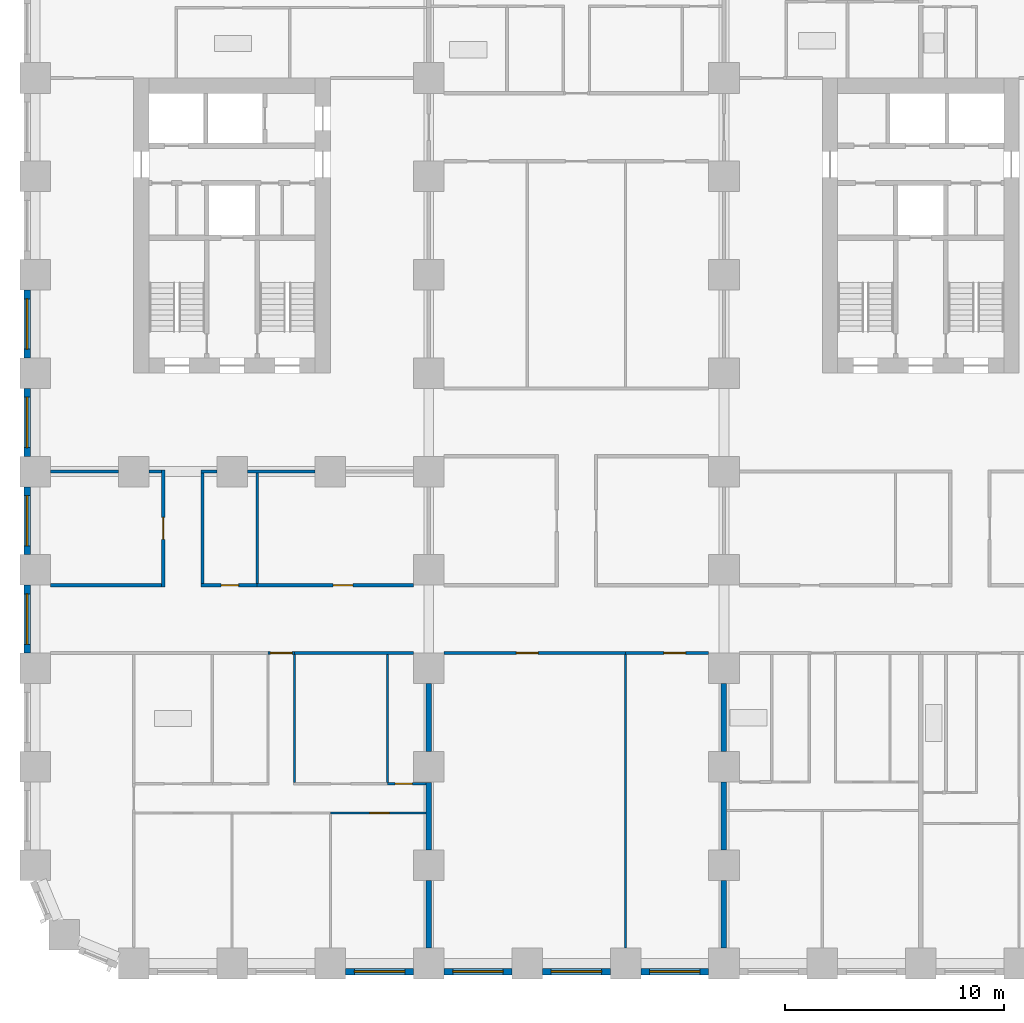
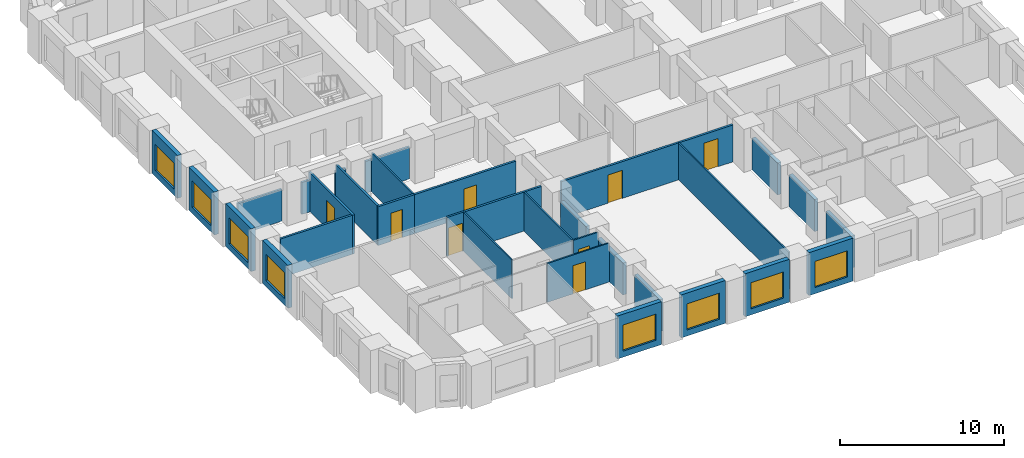
# One storey, part 3 of 13: 33 walls, 8 doors, 8 windows, 16 openings.
"""IFC4 building model written with IfcOpenShell, lengths in metres."""

from ifc_helpers import new_model, si_unit, direction, frame, frame_2d, origin, place, context, subcontext, project, spatial, rectangle, extrude, material, layer, layer_set, type_object, element, fill, save


model = new_model("IFC4")

# Units and contexts
model_context = context("Model", 3, precision=1e-05, world=origin(), true_north=direction((0.0, 1.0)))
body_context = subcontext(model_context, "Body", "Model", "MODEL_VIEW")
ifc_project = project(units=[si_unit("LENGTHUNIT", "METRE"), si_unit("AREAUNIT", "SQUARE_METRE"), si_unit("VOLUMEUNIT", "CUBIC_METRE"), si_unit("PLANEANGLEUNIT", "RADIAN"), si_unit("MASSUNIT", "GRAM", prefix="KILO")], contexts=[model_context])

# Site, building, storey
site_placement = place(None, origin())
site = spatial("IfcSite", under=ifc_project, at=site_placement, CompositionType="ELEMENT")
building_placement = place(site_placement, origin())
building = spatial("IfcBuilding", under=site, at=building_placement, Name="Girih Gate Residences", CompositionType="ELEMENT")
storey_placement = place(building_placement, frame((0.0, 0.0, 56.0)))
storey = spatial("IfcBuildingStorey", under=building, at=storey_placement, Name="L14", CompositionType="ELEMENT", Elevation=56.0)

# Walls
ifc_material_1 = material(Name="Gypsum board on steel studs", Category="steel")
ifc_layer_1 = layer(ifc_material_1, 0.25)
ifc_layer_set_1 = layer_set([ifc_layer_1], Name="Acoustic separating wall 250 mm")
wall_type_1 = type_object("IfcWallType", Name="Acoustic separating wall 250 mm", PredefinedType="PARTITIONING", material=ifc_layer_set_1)
wall_1_placement = place(storey_placement, frame((18.0, 5.199951171875, 0.0), z_axis=(0.0, 0.0, 1.0), x_axis=(0.0, 1.0, 0.0)))
element("IfcWall", 1, at=wall_1_placement, inside=storey, type_object=wall_type_1, Name="L14 partition", PredefinedType="PARTITIONING", context=body_context, shape_type="SweptSolid", body=[
    extrude(rectangle(XDim=3.070068359375, YDim=0.25, at=frame_2d((1.53515625, 0.0))), origin(), (0.0, 0.0, 1.0), 2.3798828125),
])
for number, where, z_axis, x_axis, name in (
    (2, (18.0, 0.699951171875, 0.0), (0.0, 0.0, 1.0), (0.0, 1.0, 0.0), "L14 partition"),
    (3, (18.0, 9.699951171875, 0.0), (0.0, 0.0, 1.0), (0.0, 1.0, 0.0), "L14 partition"),
    (4, (31.5, 9.699951171875, 0.0), (0.0, 0.0, 1.0), (0.0, 1.0, 0.0), "L14 partition"),
    (5, (31.5, 0.699951171875, 0.0), (0.0, 0.0, 1.0), (0.0, 1.0, 0.0), "L14 partition"),
    (6, (31.5, 5.199951171875, 0.0), (0.0, 0.0, 1.0), (0.0, 1.0, 0.0), "L14 partition"),
):
    element("IfcWall", number, at=place(storey_placement, frame(where, z_axis=z_axis, x_axis=x_axis)), inside=storey, type_object=wall_type_1, Name=name, PredefinedType="PARTITIONING", context=body_context, shape_type="SweptSolid", body=[
        extrude(rectangle(XDim=3.10009765625, YDim=0.25, at=frame_2d((1.550048828125, 0.0))), origin(), (0.0, 0.0, 1.0), 2.3798828125),
    ])

# Wall, opening, door
ifc_layer_2 = layer(ifc_material_1, 0.14990234375)
ifc_layer_set_2 = layer_set([ifc_layer_2], Name="Compartment wall 150 mm")
wall_type_2 = type_object("IfcWallType", Name="Compartment wall 150 mm", PredefinedType="PARTITIONING", material=ifc_layer_set_2)
wall_2_placement = place(storey_placement, frame((11.85009765625, 14.199951171875, 0.0), z_axis=(0.0, 0.0, 1.0), x_axis=(-1.0, 0.0, 0.0)))
wall_2 = element("IfcWall", 7, at=wall_2_placement, inside=storey, type_object=wall_type_2, Name="L14 partition", PredefinedType="PARTITIONING", context=body_context, shape_type="SweptSolid", body=[
    extrude(rectangle(XDim=1.2001953125, YDim=0.14990234375, at=frame_2d((0.60009765625, 0.0))), origin(), (0.0, 0.0, 1.0), 2.89990234375),
])
opening_1_placement = place(wall_2_placement, frame((0.10009765625, 0.0, 0.0)))
opening_1 = element("IfcOpeningElement", 8, at=opening_1_placement, cuts=wall_2, Name="Opening A14-009", PredefinedType="OPENING", context=body_context, shape_type="SweptSolid", body=[
    extrude(rectangle(XDim=1.0, YDim=2.10009765625, at=frame_2d((0.5, 1.050048828125))), frame((0.0, 0.0849609375, 0.0), z_axis=(0.0, -1.0, 0.0), x_axis=(1.0, 0.0, 0.0)), (0.0, 0.0, 1.0), 0.169921875),
])
ifc_material_2 = material(Name="Timber, fire-rated core", Category="wood")
door_type_1 = type_object("IfcDoorType", Name="Flat entrance door 1000x2100 FD30S", OperationType="NOTDEFINED", PredefinedType="DOOR", material=ifc_material_2)
door_1_placement = place(opening_1_placement, origin())
door_1 = element("IfcDoor", 9, at=door_1_placement, inside=storey, type_object=door_type_1, Name="Door A14-009", OperationType="SINGLE_SWING_RIGHT", OverallHeight=2.10009765625, OverallWidth=1.0, PredefinedType="DOOR", context=body_context, shape_type="SweptSolid", body=[
    extrude(rectangle(XDim=1.0, YDim=2.10009765625, at=frame_2d((0.5, 1.050048828125))), frame((0.0, 0.02490234375, 0.0), z_axis=(0.0, -1.0, 0.0), x_axis=(1.0, 0.0, 0.0)), (0.0, 0.0, 1.0), 0.050048828125),
])
fill(opening_1, door_1)

# Wall
wall_3_placement = place(storey_placement, frame((11.85009765625, 14.199951171875, 0.0), z_axis=(0.0, 0.0, 1.0), x_axis=(1.0, 0.0, 0.0)))
element("IfcWall", 10, at=wall_3_placement, inside=storey, type_object=wall_type_2, Name="L14 partition", PredefinedType="PARTITIONING", context=body_context, shape_type="SweptSolid", body=[
    extrude(rectangle(XDim=5.449951171875, YDim=0.14990234375, at=frame_2d((2.72509765625, 0.0))), origin(), (0.0, 0.0, 1.0), 2.89990234375),
])

# Wall, opening, door
wall_4_placement = place(storey_placement, frame((27.0, 14.199951171875, 0.0), z_axis=(0.0, 0.0, 1.0), x_axis=(-1.0, 0.0, 0.0)))
wall_4 = element("IfcWall", 11, at=wall_4_placement, inside=storey, type_object=wall_type_2, Name="L14 partition", PredefinedType="PARTITIONING", context=body_context, shape_type="SweptSolid", body=[
    extrude(rectangle(XDim=8.300048828125, YDim=0.14990234375, at=frame_2d((4.14990234375, 0.0))), origin(), (0.0, 0.0, 1.0), 2.75),
])
opening_2_placement = place(wall_4_placement, frame((4.0, 0.0, 0.0)))
opening_2 = element("IfcOpeningElement", 12, at=opening_2_placement, cuts=wall_4, Name="Opening A14-052", PredefinedType="OPENING", context=body_context, shape_type="SweptSolid", body=[
    extrude(rectangle(XDim=1.0, YDim=2.10009765625, at=frame_2d((0.5, 1.050048828125))), frame((0.0, 0.0849609375, 0.0), z_axis=(0.0, -1.0, 0.0), x_axis=(1.0, 0.0, 0.0)), (0.0, 0.0, 1.0), 0.169921875),
])
door_type_2 = type_object("IfcDoorType", Name="Amenity room door 1000x2100 FD30S", OperationType="NOTDEFINED", PredefinedType="DOOR", material=ifc_material_2)
door_2_placement = place(opening_2_placement, origin())
door_2 = element("IfcDoor", 13, at=door_2_placement, inside=storey, type_object=door_type_2, Name="Door A14-052", OperationType="SINGLE_SWING_RIGHT", OverallHeight=2.10009765625, OverallWidth=1.0, PredefinedType="DOOR", context=body_context, shape_type="SweptSolid", body=[
    extrude(rectangle(XDim=1.0, YDim=2.10009765625, at=frame_2d((0.5, 1.050048828125))), frame((0.0, 0.02490234375, 0.0), z_axis=(0.0, -1.0, 0.0), x_axis=(1.0, 0.0, 0.0)), (0.0, 0.0, 1.0), 0.050048828125),
])
fill(opening_2, door_2)

wall_5_placement = place(storey_placement, frame((30.800048828125, 14.199951171875, 0.0), z_axis=(0.0, 0.0, 1.0), x_axis=(-1.0, 0.0, 0.0)))
wall_5 = element("IfcWall", 14, at=wall_5_placement, inside=storey, type_object=wall_type_2, Name="L14 partition", PredefinedType="PARTITIONING", context=body_context, shape_type="SweptSolid", body=[
    extrude(rectangle(XDim=3.800048828125, YDim=0.14990234375, at=frame_2d((1.89990234375, 0.0))), origin(), (0.0, 0.0, 1.0), 2.75),
])
opening_3_placement = place(wall_5_placement, frame((1.050048828125, 0.0, 0.0)))
opening_3 = element("IfcOpeningElement", 15, at=opening_3_placement, cuts=wall_5, Name="Opening A14-053", PredefinedType="OPENING", context=body_context, shape_type="SweptSolid", body=[
    extrude(rectangle(XDim=1.0, YDim=2.10009765625, at=frame_2d((0.5, 1.050048828125))), frame((0.0, 0.0849609375, 0.0), z_axis=(0.0, -1.0, 0.0), x_axis=(1.0, 0.0, 0.0)), (0.0, 0.0, 1.0), 0.169921875),
])
door_3_placement = place(opening_3_placement, origin())
door_3 = element("IfcDoor", 16, at=door_3_placement, inside=storey, type_object=door_type_2, Name="Door A14-053", OperationType="SINGLE_SWING_LEFT", OverallHeight=2.10009765625, OverallWidth=1.0, PredefinedType="DOOR", context=body_context, shape_type="SweptSolid", body=[
    extrude(rectangle(XDim=1.0, YDim=2.10009765625, at=frame_2d((0.5, 1.050048828125))), frame((0.0, 0.02490234375, 0.0), z_axis=(0.0, -1.0, 0.0), x_axis=(1.0, 0.0, 0.0)), (0.0, 0.0, 1.0), 0.050048828125),
])
fill(opening_3, door_3)

wall_6_placement = place(storey_placement, frame((10.14990234375, 17.300048828125, 0.0), z_axis=(0.0, 0.0, 1.0), x_axis=(1.0, 0.0, 0.0)))
wall_6 = element("IfcWall", 17, at=wall_6_placement, inside=storey, type_object=wall_type_2, Name="L14 partition", PredefinedType="PARTITIONING", context=body_context, shape_type="SweptSolid", body=[
    extrude(rectangle(XDim=7.150146484375, YDim=0.14990234375, at=frame_2d((3.5751953125, 0.0))), origin(), (0.0, 0.0, 1.0), 2.89990234375),
])
opening_4_placement = place(wall_6_placement, frame((3.47509765625, 0.0, 0.0)))
opening_4 = element("IfcOpeningElement", 18, at=opening_4_placement, cuts=wall_6, Name="Opening A14-057", PredefinedType="OPENING", context=body_context, shape_type="SweptSolid", body=[
    extrude(rectangle(XDim=0.89990234375, YDim=2.10009765625, at=frame_2d((0.449951171875, 1.050048828125))), frame((0.0, 0.0849609375, 0.0), z_axis=(0.0, -1.0, 0.0), x_axis=(1.0, 0.0, 0.0)), (0.0, 0.0, 1.0), 0.169921875),
])
ifc_material_3 = material(Name="Timber", Category="wood")
door_type_3 = type_object("IfcDoorType", Name="Service room door 900x2100", OperationType="NOTDEFINED", PredefinedType="DOOR", material=ifc_material_3)
door_4_placement = place(opening_4_placement, origin())
door_4 = element("IfcDoor", 19, at=door_4_placement, inside=storey, type_object=door_type_3, Name="Door A14-057", OperationType="SINGLE_SWING_RIGHT", OverallHeight=2.10009765625, OverallWidth=0.89990234375, PredefinedType="DOOR", context=body_context, shape_type="SweptSolid", body=[
    extrude(rectangle(XDim=0.89990234375, YDim=2.10009765625, at=frame_2d((0.449951171875, 1.050048828125))), frame((0.0, 0.02490234375, 0.0), z_axis=(0.0, -1.0, 0.0), x_axis=(1.0, 0.0, 0.0)), (0.0, 0.0, 1.0), 0.050048828125),
])
fill(opening_4, door_4)

wall_7_placement = place(storey_placement, frame((7.574951171875, 17.300048828125, 0.0), z_axis=(0.0, 0.0, 1.0), x_axis=(1.0, 0.0, 0.0)))
wall_7 = element("IfcWall", 20, at=wall_7_placement, inside=storey, type_object=wall_type_2, Name="L14 partition", PredefinedType="PARTITIONING", context=body_context, shape_type="SweptSolid", body=[
    extrude(rectangle(XDim=2.574951171875, YDim=0.14990234375, at=frame_2d((1.28759765625, 0.0))), origin(), (0.0, 0.0, 1.0), 2.89990234375),
])
opening_5_placement = place(wall_7_placement, frame((0.925048828125, 0.0, 0.0)))
opening_5 = element("IfcOpeningElement", 21, at=opening_5_placement, cuts=wall_7, Name="Opening A14-059", PredefinedType="OPENING", context=body_context, shape_type="SweptSolid", body=[
    extrude(rectangle(XDim=0.800048828125, YDim=2.10009765625, at=frame_2d((0.39990234375, 1.050048828125))), frame((0.0, 0.0849609375, 0.0), z_axis=(0.0, -1.0, 0.0), x_axis=(1.0, 0.0, 0.0)), (0.0, 0.0, 1.0), 0.169921875),
])
door_type_4 = type_object("IfcDoorType", Name="Bathroom door 800x2100", OperationType="NOTDEFINED", PredefinedType="DOOR", material=ifc_material_3)
door_5_placement = place(opening_5_placement, origin())
door_5 = element("IfcDoor", 22, at=door_5_placement, inside=storey, type_object=door_type_4, Name="Door A14-059", OperationType="SINGLE_SWING_RIGHT", OverallHeight=2.10009765625, OverallWidth=0.800048828125, PredefinedType="DOOR", context=body_context, shape_type="SweptSolid", body=[
    extrude(rectangle(XDim=0.800048828125, YDim=2.10009765625, at=frame_2d((0.39990234375, 1.050048828125))), frame((0.0, 0.02490234375, 0.0), z_axis=(0.0, -1.0, 0.0), x_axis=(1.0, 0.0, 0.0)), (0.0, 0.0, 1.0), 0.050048828125),
])
fill(opening_5, door_5)

# Walls
wall_8_placement = place(storey_placement, frame((0.699951171875, 17.300048828125, 0.0), z_axis=(0.0, 0.0, 1.0), x_axis=(1.0, 0.0, 0.0)))
element("IfcWall", 23, at=wall_8_placement, inside=storey, type_object=wall_type_2, Name="L14 partition", PredefinedType="PARTITIONING", context=body_context, shape_type="SweptSolid", body=[
    extrude(rectangle(XDim=5.074951171875, YDim=0.14990234375, at=frame_2d((2.53759765625, 0.0))), origin(), (0.0, 0.0, 1.0), 2.89990234375),
])
wall_9_placement = place(storey_placement, frame((9.699951171875, 22.5, 0.0), z_axis=(0.0, 0.0, 1.0), x_axis=(1.0, 0.0, 0.0)))
element("IfcWall", 24, at=wall_9_placement, inside=storey, type_object=wall_type_2, Name="L14 partition", PredefinedType="PARTITIONING", context=body_context, shape_type="SweptSolid", body=[
    extrude(rectangle(XDim=3.10009765625, YDim=0.14990234375, at=frame_2d((1.550048828125, 0.0))), origin(), (0.0, 0.0, 1.0), 2.3798828125),
])
wall_10_placement = place(storey_placement, frame((7.574951171875, 22.5, 0.0), z_axis=(0.0, 0.0, 1.0), x_axis=(1.0, 0.0, 0.0)))
element("IfcWall", 25, at=wall_10_placement, inside=storey, type_object=wall_type_2, Name="L14 partition", PredefinedType="PARTITIONING", context=body_context, shape_type="SweptSolid", body=[
    extrude(rectangle(XDim=0.72509765625, YDim=0.14990234375, at=frame_2d((0.362548828125, 0.0))), origin(), (0.0, 0.0, 1.0), 2.3798828125),
])
wall_11_placement = place(storey_placement, frame((5.199951171875, 22.5, 0.0), z_axis=(0.0, 0.0, 1.0), x_axis=(1.0, 0.0, 0.0)))
element("IfcWall", 26, at=wall_11_placement, inside=storey, type_object=wall_type_2, Name="L14 partition", PredefinedType="PARTITIONING", context=body_context, shape_type="SweptSolid", body=[
    extrude(rectangle(XDim=0.574951171875, YDim=0.14990234375, at=frame_2d((0.28759765625, 0.0))), origin(), (0.0, 0.0, 1.0), 2.3798828125),
])
wall_12_placement = place(storey_placement, frame((0.699951171875, 22.5, 0.0), z_axis=(0.0, 0.0, 1.0), x_axis=(1.0, 0.0, 0.0)))
element("IfcWall", 27, at=wall_12_placement, inside=storey, type_object=wall_type_2, Name="L14 partition", PredefinedType="PARTITIONING", context=body_context, shape_type="SweptSolid", body=[
    extrude(rectangle(XDim=3.10009765625, YDim=0.14990234375, at=frame_2d((1.550048828125, 0.0))), origin(), (0.0, 0.0, 1.0), 2.3798828125),
])
wall_13_placement = place(storey_placement, frame((7.64990234375, 17.375, 0.0), z_axis=(0.0, 0.0, 1.0), x_axis=(0.0, 1.0, 0.0)))
element("IfcWall", 28, at=wall_13_placement, inside=storey, type_object=wall_type_2, Name="L14 partition", PredefinedType="PARTITIONING", context=body_context, shape_type="SweptSolid", body=[
    extrude(rectangle(XDim=5.050048828125, YDim=0.14990234375, at=frame_2d((2.52490234375, 0.0))), origin(), (0.0, 0.0, 1.0), 2.89990234375),
])

# Wall, opening, door
wall_14_placement = place(storey_placement, frame((5.85009765625, 17.22509765625, 0.0), z_axis=(0.0, 0.0, 1.0), x_axis=(0.0, 1.0, 0.0)))
wall_14 = element("IfcWall", 29, at=wall_14_placement, inside=storey, type_object=wall_type_2, Name="L14 partition", PredefinedType="PARTITIONING", context=body_context, shape_type="SweptSolid", body=[
    extrude(rectangle(XDim=5.349853515625, YDim=0.14990234375, at=frame_2d((2.6748046875, 0.0))), origin(), (0.0, 0.0, 1.0), 2.89990234375),
])
opening_6_placement = place(wall_14_placement, frame((2.175048828125, 0.0, 0.0)))
opening_6 = element("IfcOpeningElement", 30, at=opening_6_placement, cuts=wall_14, Name="Opening A14-061", PredefinedType="OPENING", context=body_context, shape_type="SweptSolid", body=[
    extrude(rectangle(XDim=1.0, YDim=2.10009765625, at=frame_2d((0.5, 1.050048828125))), frame((0.0, 0.0849609375, 0.0), z_axis=(0.0, -1.0, 0.0), x_axis=(1.0, 0.0, 0.0)), (0.0, 0.0, 1.0), 0.169921875),
])
door_6_placement = place(opening_6_placement, origin())
door_6 = element("IfcDoor", 31, at=door_6_placement, inside=storey, type_object=door_type_2, Name="Door A14-061", OperationType="SINGLE_SWING_LEFT", OverallHeight=2.10009765625, OverallWidth=1.0, PredefinedType="DOOR", context=body_context, shape_type="SweptSolid", body=[
    extrude(rectangle(XDim=1.0, YDim=2.10009765625, at=frame_2d((0.5, 1.050048828125))), frame((0.0, 0.02490234375, 0.0), z_axis=(0.0, -1.0, 0.0), x_axis=(1.0, 0.0, 0.0)), (0.0, 0.0, 1.0), 0.050048828125),
])
fill(opening_6, door_6)

ifc_layer_3 = layer(ifc_material_1, 0.10009765625)
ifc_layer_set_3 = layer_set([ifc_layer_3], Name="Partition 100 mm")
wall_type_3 = type_object("IfcWallType", Name="Partition 100 mm", PredefinedType="PARTITIONING", material=ifc_layer_set_3)
wall_15_placement = place(storey_placement, frame((17.875, 6.8798828125, 0.0), z_axis=(0.0, 0.0, 1.0), x_axis=(-1.0, 0.0, 0.0)))
wall_15 = element("IfcWall", 32, at=wall_15_placement, inside=storey, type_object=wall_type_3, Name="L14 partition", PredefinedType="PARTITIONING", context=body_context, shape_type="SweptSolid", body=[
    extrude(rectangle(XDim=4.375, YDim=0.10009765625, at=frame_2d((2.1875, 0.0))), origin(), (0.0, 0.0, 1.0), 2.89990234375),
])
opening_7_placement = place(wall_15_placement, frame((1.675048828125, 0.0, 0.0)))
opening_7 = element("IfcOpeningElement", 33, at=opening_7_placement, cuts=wall_15, Name="Opening A14-004", PredefinedType="OPENING", context=body_context, shape_type="SweptSolid", body=[
    extrude(rectangle(XDim=0.89990234375, YDim=2.10009765625, at=frame_2d((0.449951171875, 1.050048828125))), frame((0.0, 0.06005859375, 0.0), z_axis=(0.0, -1.0, 0.0), x_axis=(1.0, 0.0, 0.0)), (0.0, 0.0, 1.0), 0.1201171875),
])
door_type_5 = type_object("IfcDoorType", Name="Bedroom door 900x2100", OperationType="NOTDEFINED", PredefinedType="DOOR", material=ifc_material_3)
door_7_placement = place(opening_7_placement, origin())
door_7 = element("IfcDoor", 34, at=door_7_placement, inside=storey, type_object=door_type_5, Name="Door A14-004", OperationType="SINGLE_SWING_LEFT", OverallHeight=2.10009765625, OverallWidth=0.89990234375, PredefinedType="DOOR", context=body_context, shape_type="SweptSolid", body=[
    extrude(rectangle(XDim=0.89990234375, YDim=2.10009765625, at=frame_2d((0.449951171875, 1.050048828125))), frame((0.0, 0.02490234375, 0.0), z_axis=(0.0, -1.0, 0.0), x_axis=(1.0, 0.0, 0.0)), (0.0, 0.0, 1.0), 0.050048828125),
])
fill(opening_7, door_7)

# Wall
wall_16_placement = place(storey_placement, frame((11.85009765625, 8.27001953125, 0.0), z_axis=(0.0, 0.0, 1.0), x_axis=(0.0, 1.0, 0.0)))
element("IfcWall", 35, at=wall_16_placement, inside=storey, type_object=wall_type_3, Name="L14 partition", PredefinedType="PARTITIONING", context=body_context, shape_type="SweptSolid", body=[
    extrude(rectangle(XDim=5.85498046875, YDim=0.10009765625, at=frame_2d((2.927490234375, 0.0))), origin(), (0.0, 0.0, 1.0), 2.89990234375),
])

# Wall, opening, door
wall_17_placement = place(storey_placement, frame((16.107421875, 8.219970703125, 0.0), z_axis=(0.0, 0.0, 1.0), x_axis=(1.0, 0.0, 0.0)))
wall_17 = element("IfcWall", 36, at=wall_17_placement, inside=storey, type_object=wall_type_3, Name="L14 partition", PredefinedType="PARTITIONING", context=body_context, shape_type="SweptSolid", body=[
    extrude(rectangle(XDim=1.767578125, YDim=0.10009765625, at=frame_2d((0.8837890625, 0.0))), origin(), (0.0, 0.0, 1.0), 2.89990234375),
])
opening_8_placement = place(wall_17_placement, frame((0.34619140625, 0.0, 0.0)))
opening_8 = element("IfcOpeningElement", 37, at=opening_8_placement, cuts=wall_17, Name="Opening A14-007", PredefinedType="OPENING", context=body_context, shape_type="SweptSolid", body=[
    extrude(rectangle(XDim=0.800048828125, YDim=2.10009765625, at=frame_2d((0.39990234375, 1.050048828125))), frame((0.0, 0.06005859375, 0.0), z_axis=(0.0, -1.0, 0.0), x_axis=(1.0, 0.0, 0.0)), (0.0, 0.0, 1.0), 0.1201171875),
])
door_type_6 = type_object("IfcDoorType", Name="Store door 800x2100", OperationType="NOTDEFINED", PredefinedType="DOOR", material=ifc_material_3)
door_8_placement = place(opening_8_placement, origin())
door_8 = element("IfcDoor", 38, at=door_8_placement, inside=storey, type_object=door_type_6, Name="Door A14-007", OperationType="SINGLE_SWING_LEFT", OverallHeight=2.10009765625, OverallWidth=0.800048828125, PredefinedType="DOOR", context=body_context, shape_type="SweptSolid", body=[
    extrude(rectangle(XDim=0.800048828125, YDim=2.10009765625, at=frame_2d((0.39990234375, 1.050048828125))), frame((0.0, 0.02490234375, 0.0), z_axis=(0.0, -1.0, 0.0), x_axis=(1.0, 0.0, 0.0)), (0.0, 0.0, 1.0), 0.050048828125),
])
fill(opening_8, door_8)

# Walls
wall_18_placement = place(storey_placement, frame((16.10693359375, 8.27001953125, 0.0), z_axis=(0.0, 0.0, 1.0), x_axis=(0.0, 1.0, 0.0)))
element("IfcWall", 39, at=wall_18_placement, inside=storey, type_object=wall_type_3, Name="L14 partition", PredefinedType="PARTITIONING", context=body_context, shape_type="SweptSolid", body=[
    extrude(rectangle(XDim=5.85498046875, YDim=0.10009765625, at=frame_2d((2.927490234375, 0.0))), origin(), (0.0, 0.0, 1.0), 2.89990234375),
])
wall_19_placement = place(storey_placement, frame((27.0, 0.699951171875, 0.0), z_axis=(0.0, 0.0, 1.0), x_axis=(0.0, 1.0, 0.0)))
element("IfcWall", 40, at=wall_19_placement, inside=storey, type_object=wall_type_3, Name="L14 partition", PredefinedType="PARTITIONING", context=body_context, shape_type="SweptSolid", body=[
    extrude(rectangle(XDim=13.425048828125, YDim=0.10009765625, at=frame_2d((6.71240234375, 0.0))), origin(), (0.0, 0.0, 1.0), 2.75),
])
wall_20_placement = place(storey_placement, frame((10.14990234375, 17.375, 0.0), z_axis=(0.0, 0.0, 1.0), x_axis=(0.0, 1.0, 0.0)))
element("IfcWall", 41, at=wall_20_placement, inside=storey, type_object=wall_type_3, Name="L14 partition", PredefinedType="PARTITIONING", context=body_context, shape_type="SweptSolid", body=[
    extrude(rectangle(XDim=5.050048828125, YDim=0.10009765625, at=frame_2d((2.52490234375, 0.0))), origin(), (0.0, 0.0, 1.0), 2.89990234375),
])

# Wall, opening, window
ifc_material_4 = material(Name="Precast concrete C50/60", Category="concrete")
ifc_layer_4 = layer(ifc_material_4, 0.080078125, Name="Outer leaf")
ifc_material_5 = material(Name="Rigid PIR insulation")
ifc_layer_5 = layer(ifc_material_5, 0.14990234375, Name="Insulation")
ifc_material_6 = material(Name="Precast concrete C40/50", Category="concrete")
ifc_layer_6 = layer(ifc_material_6, 0.070068359375, Name="Inner leaf")
ifc_layer_set_4 = layer_set([ifc_layer_4, ifc_layer_5, ifc_layer_6], Name="Precast concrete C50/60 external wall 300")
wall_type_4 = type_object("IfcWallType", Name="Precast concrete C50/60 external wall 300", PredefinedType="SOLIDWALL", material=ifc_layer_set_4)
wall_21_placement = place(storey_placement, frame((17.300048828125, -0.375, 0.0), z_axis=(0.0, 0.0, 1.0), x_axis=(-1.0, 0.0, 0.0)))
wall_21 = element("IfcWall", 42, at=wall_21_placement, inside=storey, type_object=wall_type_4, Name="External wall S0045_0000.2", PredefinedType="SOLIDWALL", context=body_context, shape_type="SweptSolid", body=[
    extrude(rectangle(XDim=3.10009765625, YDim=0.300048828125, at=frame_2d((1.550048828125, 0.0))), origin(), (0.0, 0.0, 1.0), 3.199951171875),
])
opening_9_placement = place(wall_21_placement, frame((0.39990234375, 0.0, 0.449951171875)))
opening_9 = element("IfcOpeningElement", 43, at=opening_9_placement, cuts=wall_21, Name="Opening W-1", PredefinedType="OPENING", context=body_context, shape_type="SweptSolid", body=[
    extrude(rectangle(XDim=2.300048828125, YDim=1.949951171875, at=frame_2d((1.14990234375, 0.97509765625))), frame((0.0, 0.159912109375, 0.0), z_axis=(0.0, -1.0, 0.0), x_axis=(1.0, 0.0, 0.0)), (0.0, 0.0, 1.0), 0.320068359375),
])
ifc_material_7 = material(Name="Double glazing in aluminium frame", Category="aluminium")
window_type = type_object("IfcWindowType", Name="Window W-1 2300x1950", PartitioningType="SINGLE_PANEL", PredefinedType="WINDOW", material=ifc_material_7)
window_1_placement = place(opening_9_placement, origin())
window_1 = element("IfcWindow", 44, at=window_1_placement, inside=storey, type_object=window_type, Name="Window W-1 S0045_0000.2", OverallHeight=1.949951171875, OverallWidth=2.300048828125, PartitioningType="SINGLE_PANEL", PredefinedType="WINDOW", context=body_context, shape_type="SweptSolid", body=[
    extrude(rectangle(XDim=2.300048828125, YDim=1.949951171875, at=frame_2d((1.14990234375, 0.97509765625))), frame((0.0, 0.030029296875, 0.0), z_axis=(0.0, -1.0, 0.0), x_axis=(1.0, 0.0, 0.0)), (0.0, 0.0, 1.0), 0.06005859375),
])
fill(opening_9, window_1)

wall_22_placement = place(storey_placement, frame((21.800048828125, -0.375, 0.0), z_axis=(0.0, 0.0, 1.0), x_axis=(-1.0, 0.0, 0.0)))
wall_22 = element("IfcWall", 45, at=wall_22_placement, inside=storey, type_object=wall_type_4, Name="External wall S0045_0000.3", PredefinedType="SOLIDWALL", context=body_context, shape_type="SweptSolid", body=[
    extrude(rectangle(XDim=3.10009765625, YDim=0.300048828125, at=frame_2d((1.550048828125, 0.0))), origin(), (0.0, 0.0, 1.0), 3.199951171875),
])
opening_10_placement = place(wall_22_placement, frame((0.39990234375, 0.0, 0.449951171875)))
opening_10 = element("IfcOpeningElement", 46, at=opening_10_placement, cuts=wall_22, Name="Opening W-1", PredefinedType="OPENING", context=body_context, shape_type="SweptSolid", body=[
    extrude(rectangle(XDim=2.300048828125, YDim=1.949951171875, at=frame_2d((1.14990234375, 0.97509765625))), frame((0.0, 0.159912109375, 0.0), z_axis=(0.0, -1.0, 0.0), x_axis=(1.0, 0.0, 0.0)), (0.0, 0.0, 1.0), 0.320068359375),
])
window_2_placement = place(opening_10_placement, origin())
window_2 = element("IfcWindow", 47, at=window_2_placement, inside=storey, type_object=window_type, Name="Window W-1 S0045_0000.3", OverallHeight=1.949951171875, OverallWidth=2.300048828125, PartitioningType="SINGLE_PANEL", PredefinedType="WINDOW", context=body_context, shape_type="SweptSolid", body=[
    extrude(rectangle(XDim=2.300048828125, YDim=1.949951171875, at=frame_2d((1.14990234375, 0.97509765625))), frame((0.0, 0.030029296875, 0.0), z_axis=(0.0, -1.0, 0.0), x_axis=(1.0, 0.0, 0.0)), (0.0, 0.0, 1.0), 0.06005859375),
])
fill(opening_10, window_2)

wall_23_placement = place(storey_placement, frame((26.300048828125, -0.375, 0.0), z_axis=(0.0, 0.0, 1.0), x_axis=(-1.0, 0.0, 0.0)))
wall_23 = element("IfcWall", 48, at=wall_23_placement, inside=storey, type_object=wall_type_4, Name="External wall S0045_0000.4", PredefinedType="SOLIDWALL", context=body_context, shape_type="SweptSolid", body=[
    extrude(rectangle(XDim=3.10009765625, YDim=0.300048828125, at=frame_2d((1.550048828125, 0.0))), origin(), (0.0, 0.0, 1.0), 3.199951171875),
])
opening_11_placement = place(wall_23_placement, frame((0.39990234375, 0.0, 0.449951171875)))
opening_11 = element("IfcOpeningElement", 49, at=opening_11_placement, cuts=wall_23, Name="Opening W-1", PredefinedType="OPENING", context=body_context, shape_type="SweptSolid", body=[
    extrude(rectangle(XDim=2.300048828125, YDim=1.949951171875, at=frame_2d((1.14990234375, 0.97509765625))), frame((0.0, 0.159912109375, 0.0), z_axis=(0.0, -1.0, 0.0), x_axis=(1.0, 0.0, 0.0)), (0.0, 0.0, 1.0), 0.320068359375),
])
window_3_placement = place(opening_11_placement, origin())
window_3 = element("IfcWindow", 50, at=window_3_placement, inside=storey, type_object=window_type, Name="Window W-1 S0045_0000.4", OverallHeight=1.949951171875, OverallWidth=2.300048828125, PartitioningType="SINGLE_PANEL", PredefinedType="WINDOW", context=body_context, shape_type="SweptSolid", body=[
    extrude(rectangle(XDim=2.300048828125, YDim=1.949951171875, at=frame_2d((1.14990234375, 0.97509765625))), frame((0.0, 0.030029296875, 0.0), z_axis=(0.0, -1.0, 0.0), x_axis=(1.0, 0.0, 0.0)), (0.0, 0.0, 1.0), 0.06005859375),
])
fill(opening_11, window_3)

wall_24_placement = place(storey_placement, frame((30.800048828125, -0.375, 0.0), z_axis=(0.0, 0.0, 1.0), x_axis=(-1.0, 0.0, 0.0)))
wall_24 = element("IfcWall", 51, at=wall_24_placement, inside=storey, type_object=wall_type_4, Name="External wall S0045_0000.5", PredefinedType="SOLIDWALL", context=body_context, shape_type="SweptSolid", body=[
    extrude(rectangle(XDim=3.10009765625, YDim=0.300048828125, at=frame_2d((1.550048828125, 0.0))), origin(), (0.0, 0.0, 1.0), 3.199951171875),
])
opening_12_placement = place(wall_24_placement, frame((0.39990234375, 0.0, 0.449951171875)))
opening_12 = element("IfcOpeningElement", 52, at=opening_12_placement, cuts=wall_24, Name="Opening W-1", PredefinedType="OPENING", context=body_context, shape_type="SweptSolid", body=[
    extrude(rectangle(XDim=2.300048828125, YDim=1.949951171875, at=frame_2d((1.14990234375, 0.97509765625))), frame((0.0, 0.159912109375, 0.0), z_axis=(0.0, -1.0, 0.0), x_axis=(1.0, 0.0, 0.0)), (0.0, 0.0, 1.0), 0.320068359375),
])
window_4_placement = place(opening_12_placement, origin())
window_4 = element("IfcWindow", 53, at=window_4_placement, inside=storey, type_object=window_type, Name="Window W-1 S0045_0000.5", OverallHeight=1.949951171875, OverallWidth=2.300048828125, PartitioningType="SINGLE_PANEL", PredefinedType="WINDOW", context=body_context, shape_type="SweptSolid", body=[
    extrude(rectangle(XDim=2.300048828125, YDim=1.949951171875, at=frame_2d((1.14990234375, 0.97509765625))), frame((0.0, 0.030029296875, 0.0), z_axis=(0.0, -1.0, 0.0), x_axis=(1.0, 0.0, 0.0)), (0.0, 0.0, 1.0), 0.06005859375),
])
fill(opening_12, window_4)

wall_25_placement = place(storey_placement, frame((-0.375, 27.699951171875, 0.0), z_axis=(0.0, 0.0, 1.0), x_axis=(0.0, 1.0, 0.0)))
wall_25 = element("IfcWall", 54, at=wall_25_placement, inside=storey, type_object=wall_type_4, Name="External wall W0000_0450.3", PredefinedType="SOLIDWALL", context=body_context, shape_type="SweptSolid", body=[
    extrude(rectangle(XDim=3.10009765625, YDim=0.300048828125, at=frame_2d((1.550048828125, 0.0))), origin(), (0.0, 0.0, 1.0), 3.199951171875),
])
opening_13_placement = place(wall_25_placement, frame((0.39990234375, 0.0, 0.449951171875)))
opening_13 = element("IfcOpeningElement", 55, at=opening_13_placement, cuts=wall_25, Name="Opening W-1", PredefinedType="OPENING", context=body_context, shape_type="SweptSolid", body=[
    extrude(rectangle(XDim=2.300048828125, YDim=1.949951171875, at=frame_2d((1.14990234375, 0.97509765625))), frame((0.0, 0.159912109375, 0.0), z_axis=(0.0, -1.0, 0.0), x_axis=(1.0, 0.0, 0.0)), (0.0, 0.0, 1.0), 0.320068359375),
])
window_5_placement = place(opening_13_placement, origin())
window_5 = element("IfcWindow", 56, at=window_5_placement, inside=storey, type_object=window_type, Name="Window W-1 W0000_0450.3", OverallHeight=1.949951171875, OverallWidth=2.300048828125, PartitioningType="SINGLE_PANEL", PredefinedType="WINDOW", context=body_context, shape_type="SweptSolid", body=[
    extrude(rectangle(XDim=2.300048828125, YDim=1.949951171875, at=frame_2d((1.14990234375, 0.97509765625))), frame((0.0, 0.030029296875, 0.0), z_axis=(0.0, -1.0, 0.0), x_axis=(1.0, 0.0, 0.0)), (0.0, 0.0, 1.0), 0.06005859375),
])
fill(opening_13, window_5)

wall_26_placement = place(storey_placement, frame((-0.375, 23.199951171875, 0.0), z_axis=(0.0, 0.0, 1.0), x_axis=(0.0, 1.0, 0.0)))
wall_26 = element("IfcWall", 57, at=wall_26_placement, inside=storey, type_object=wall_type_4, Name="External wall W0000_0450.4", PredefinedType="SOLIDWALL", context=body_context, shape_type="SweptSolid", body=[
    extrude(rectangle(XDim=3.10009765625, YDim=0.300048828125, at=frame_2d((1.550048828125, 0.0))), origin(), (0.0, 0.0, 1.0), 3.199951171875),
])
opening_14_placement = place(wall_26_placement, frame((0.39990234375, 0.0, 0.449951171875)))
opening_14 = element("IfcOpeningElement", 58, at=opening_14_placement, cuts=wall_26, Name="Opening W-1", PredefinedType="OPENING", context=body_context, shape_type="SweptSolid", body=[
    extrude(rectangle(XDim=2.300048828125, YDim=1.949951171875, at=frame_2d((1.14990234375, 0.97509765625))), frame((0.0, 0.159912109375, 0.0), z_axis=(0.0, -1.0, 0.0), x_axis=(1.0, 0.0, 0.0)), (0.0, 0.0, 1.0), 0.320068359375),
])
window_6_placement = place(opening_14_placement, origin())
window_6 = element("IfcWindow", 59, at=window_6_placement, inside=storey, type_object=window_type, Name="Window W-1 W0000_0450.4", OverallHeight=1.949951171875, OverallWidth=2.300048828125, PartitioningType="SINGLE_PANEL", PredefinedType="WINDOW", context=body_context, shape_type="SweptSolid", body=[
    extrude(rectangle(XDim=2.300048828125, YDim=1.949951171875, at=frame_2d((1.14990234375, 0.97509765625))), frame((0.0, 0.030029296875, 0.0), z_axis=(0.0, -1.0, 0.0), x_axis=(1.0, 0.0, 0.0)), (0.0, 0.0, 1.0), 0.06005859375),
])
fill(opening_14, window_6)

wall_27_placement = place(storey_placement, frame((-0.375, 18.699951171875, 0.0), z_axis=(0.0, 0.0, 1.0), x_axis=(0.0, 1.0, 0.0)))
wall_27 = element("IfcWall", 60, at=wall_27_placement, inside=storey, type_object=wall_type_4, Name="External wall W0000_0450.5", PredefinedType="SOLIDWALL", context=body_context, shape_type="SweptSolid", body=[
    extrude(rectangle(XDim=3.10009765625, YDim=0.300048828125, at=frame_2d((1.550048828125, 0.0))), origin(), (0.0, 0.0, 1.0), 3.199951171875),
])
opening_15_placement = place(wall_27_placement, frame((0.39990234375, 0.0, 0.449951171875)))
opening_15 = element("IfcOpeningElement", 61, at=opening_15_placement, cuts=wall_27, Name="Opening W-1", PredefinedType="OPENING", context=body_context, shape_type="SweptSolid", body=[
    extrude(rectangle(XDim=2.300048828125, YDim=1.949951171875, at=frame_2d((1.14990234375, 0.97509765625))), frame((0.0, 0.159912109375, 0.0), z_axis=(0.0, -1.0, 0.0), x_axis=(1.0, 0.0, 0.0)), (0.0, 0.0, 1.0), 0.320068359375),
])
window_7_placement = place(opening_15_placement, origin())
window_7 = element("IfcWindow", 62, at=window_7_placement, inside=storey, type_object=window_type, Name="Window W-1 W0000_0450.5", OverallHeight=1.949951171875, OverallWidth=2.300048828125, PartitioningType="SINGLE_PANEL", PredefinedType="WINDOW", context=body_context, shape_type="SweptSolid", body=[
    extrude(rectangle(XDim=2.300048828125, YDim=1.949951171875, at=frame_2d((1.14990234375, 0.97509765625))), frame((0.0, 0.030029296875, 0.0), z_axis=(0.0, -1.0, 0.0), x_axis=(1.0, 0.0, 0.0)), (0.0, 0.0, 1.0), 0.06005859375),
])
fill(opening_15, window_7)

wall_28_placement = place(storey_placement, frame((-0.375, 14.199951171875, 0.0), z_axis=(0.0, 0.0, 1.0), x_axis=(0.0, 1.0, 0.0)))
wall_28 = element("IfcWall", 63, at=wall_28_placement, inside=storey, type_object=wall_type_4, Name="External wall W0000_0450.6", PredefinedType="SOLIDWALL", context=body_context, shape_type="SweptSolid", body=[
    extrude(rectangle(XDim=3.10009765625, YDim=0.300048828125, at=frame_2d((1.550048828125, 0.0))), origin(), (0.0, 0.0, 1.0), 3.199951171875),
])
opening_16_placement = place(wall_28_placement, frame((0.39990234375, 0.0, 0.449951171875)))
opening_16 = element("IfcOpeningElement", 64, at=opening_16_placement, cuts=wall_28, Name="Opening W-1", PredefinedType="OPENING", context=body_context, shape_type="SweptSolid", body=[
    extrude(rectangle(XDim=2.300048828125, YDim=1.949951171875, at=frame_2d((1.14990234375, 0.97509765625))), frame((0.0, 0.159912109375, 0.0), z_axis=(0.0, -1.0, 0.0), x_axis=(1.0, 0.0, 0.0)), (0.0, 0.0, 1.0), 0.320068359375),
])
window_8_placement = place(opening_16_placement, origin())
window_8 = element("IfcWindow", 65, at=window_8_placement, inside=storey, type_object=window_type, Name="Window W-1 W0000_0450.6", OverallHeight=1.949951171875, OverallWidth=2.300048828125, PartitioningType="SINGLE_PANEL", PredefinedType="WINDOW", context=body_context, shape_type="SweptSolid", body=[
    extrude(rectangle(XDim=2.300048828125, YDim=1.949951171875, at=frame_2d((1.14990234375, 0.97509765625))), frame((0.0, 0.030029296875, 0.0), z_axis=(0.0, -1.0, 0.0), x_axis=(1.0, 0.0, 0.0)), (0.0, 0.0, 1.0), 0.06005859375),
])
fill(opening_16, window_8)

save(model, "model.ifc")
